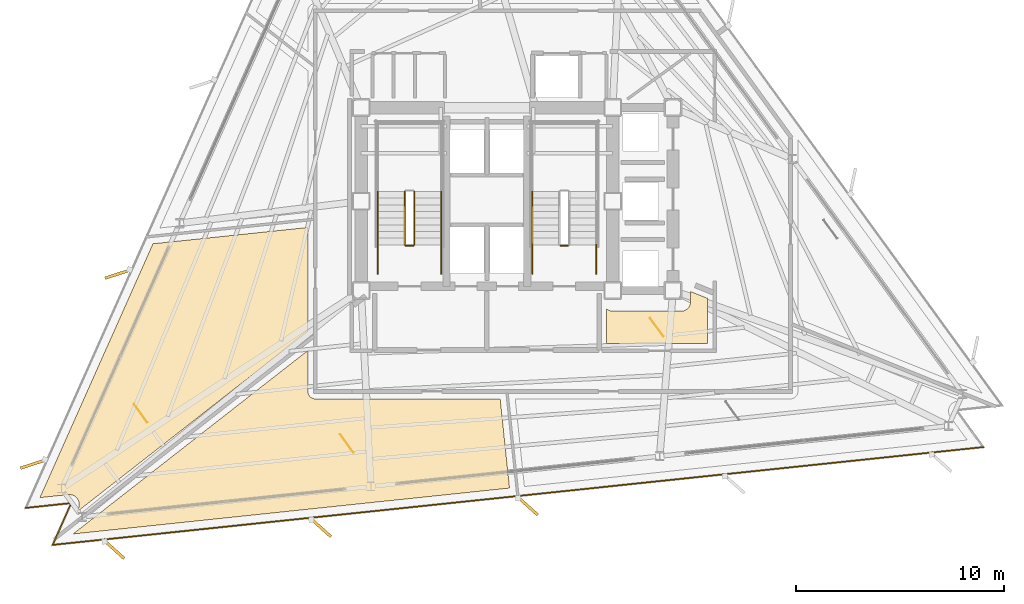
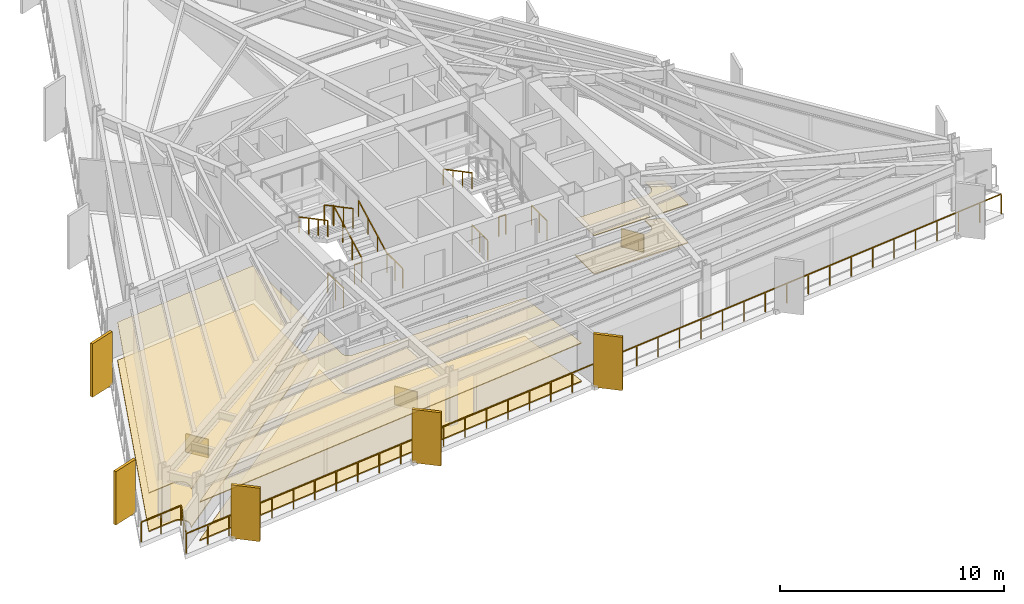
# One storey, part 10 of 12: 12 railings, 9 coverings, 5 shading devices.
"""IFC4 building model written with IfcOpenShell, lengths in metres."""

from ifc_helpers import new_model, si_unit, direction, frame, origin, origin_2d, place, context, subcontext, project, spatial, polyline, rectangle, outline, extrude, material, layer, layer_set, type_object, element, save


model = new_model("IFC4")

# Units and contexts
model_context = context("Model", 3, precision=1e-05, world=origin(), true_north=direction((0.0, 1.0)))
body_context = subcontext(model_context, "Body", "Model", "MODEL_VIEW")
ifc_project = project(units=[si_unit("LENGTHUNIT", "METRE"), si_unit("AREAUNIT", "SQUARE_METRE"), si_unit("VOLUMEUNIT", "CUBIC_METRE"), si_unit("PLANEANGLEUNIT", "RADIAN"), si_unit("MASSUNIT", "GRAM", prefix="KILO")], contexts=[model_context])

# Site, building, storey
site_placement = place(None, origin())
site = spatial("IfcSite", under=ifc_project, at=site_placement, CompositionType="ELEMENT")
building_placement = place(site_placement, origin())
building = spatial("IfcBuilding", under=site, at=building_placement, Name="Rocaltana Carrier Exchange", CompositionType="ELEMENT")
storey_placement = place(building_placement, frame((0.0, 0.0, 110.719970703125)))
storey = spatial("IfcBuildingStorey", under=building, at=storey_placement, Name="L34", CompositionType="ELEMENT", Elevation=110.719970703125)

# Coverings
ifc_material_1 = material(Name="Calcium Sulphate & Aluminium Pedestal", Category="aluminium")
ifc_layer_1 = layer(ifc_material_1, 0.06005859375)
ifc_layer_set_1 = layer_set([ifc_layer_1], Name="Calcium Sulphate & Aluminium Pedestal")
covering_type_1 = type_object("IfcCoveringType", Name="Anti-Static Raised Exchange Access Floor 60", PredefinedType="FLOORING", material=ifc_layer_set_1)
covering_1_placement = place(storey_placement, origin())
element("IfcCovering", 1, at=covering_1_placement, inside=storey, type_object=covering_type_1, Name="L34 Cloud Architecture Office Finish Floor", PredefinedType="FLOORING", context=body_context, shape_type="SweptSolid", body=[
    extrude(outline(polyline([(-19.646240234375, -14.78759765625), (-19.640869140625, -14.774658203125), (-19.633544921875, -14.756103515625), (-19.625, -14.7294921875), (-19.61962890625, -14.71044921875), (-19.613525390625, -14.68310546875), (-19.610107421875, -14.66357421875), (-19.606689453125, -14.6357421875), (-19.60546875, -14.615966796875), (-19.60498046875, -14.587890625), (-19.60546875, -14.568115234375), (-19.607666015625, -14.540283203125), (-19.6103515625, -14.5205078125), (-19.615234375, -14.492919921875), (-19.619873046875, -14.4736328125), (-19.62744140625, -14.44677734375), (-19.6337890625, -14.427978515625), (-19.644287109375, -14.402099609375), (-19.652587890625, -14.3837890625), (-19.665283203125, -14.359130859375), (-19.675537109375, -14.341796875), (-19.690673828125, -14.318603515625), (-19.702392578125, -14.30224609375), (-19.719970703125, -14.280517578125), (-19.733154296875, -14.265625), (-19.752685546875, -14.245849609375), (-19.767578125, -14.232421875), (-19.7890625, -14.214599609375), (-19.804931640625, -14.20263671875), (-19.828125, -14.18701171875), (-19.84521484375, -14.176513671875), (-19.86962890625, -14.163330078125), (-19.8876953125, -14.15478515625), (-19.91357421875, -14.14404296875), (-19.932373046875, -14.137451171875), (-19.958984375, -14.12939453125), (-19.978271484375, -14.12451171875), (-20.005615234375, -14.119140625), (-20.025390625, -14.1162109375), (-20.05322265625, -14.113525390625), (-20.072998046875, -14.11279296875), (-20.10107421875, -14.11279296875), (-20.12109375, -14.114013671875), (-20.135009765625, -14.114990234375), (-21.49609375, -14.258056640625), (-16.060791015625, -2.050048828125), (-8.610107421875, -1.266845703125), (-8.610107421875, -6.27001953125), (-19.7177734375, -14.9482421875), (-19.646240234375, -14.78759765625)])), origin(), (0.0, 0.0, 1.0), 0.06005859375),
])
covering_2_placement = place(storey_placement, origin())
element("IfcCovering", 2, at=covering_2_placement, inside=storey, type_object=covering_type_1, Name="L34 Network Operations Office Finish Floor", PredefinedType="FLOORING", context=body_context, shape_type="SweptSolid", body=[
    extrude(outline(polyline([(-19.902587890625, -16.00634765625), (-8.610107421875, -7.18359375), (-8.610107421875, -9.14990234375), (-8.609619140625, -9.163818359375), (-8.609375, -9.171630859375), (-8.606689453125, -9.198974609375), (-8.60546875, -9.206787109375), (-8.60009765625, -9.233642578125), (-8.59814453125, -9.2412109375), (-8.590087890625, -9.267578125), (-8.58740234375, -9.27490234375), (-8.576904296875, -9.30029296875), (-8.57373046875, -9.307373046875), (-8.560791015625, -9.331787109375), (-8.556640625, -9.33837890625), (-8.54150390625, -9.361083984375), (-8.53662109375, -9.367431640625), (-8.519287109375, -9.388916015625), (-8.513916015625, -9.39453125), (-8.49462890625, -9.4140625), (-8.48876953125, -9.419189453125), (-8.467529296875, -9.436767578125), (-8.461181640625, -9.44140625), (-8.4384765625, -9.456787109375), (-8.431640625, -9.460693359375), (-8.407470703125, -9.4736328125), (-8.400390625, -9.47705078125), (-8.375, -9.487548828125), (-8.36767578125, -9.490234375), (-8.34130859375, -9.498291015625), (-8.33349609375, -9.5), (-8.306640625, -9.50537109375), (-8.298828125, -9.506591796875), (-8.271484375, -9.50927734375), (-8.263671875, -9.509765625), (-8.25, -9.510009765625), (0.6376953125, -9.510009765625), (1.08837890625, -13.800048828125), (-19.902587890625, -16.00634765625)])), origin(), (0.0, 0.0, 1.0), 0.06005859375),
])
covering_3_placement = place(storey_placement, origin())
element("IfcCovering", 3, at=covering_3_placement, inside=storey, type_object=covering_type_1, Name="L34 Optical Switching Laboratory Finish Floor", PredefinedType="FLOORING", context=body_context, shape_type="SweptSolid", body=[
    extrude(outline(polyline([(5.739990234375, -6.840087890625), (5.739990234375, -5.161865234375), (5.748779296875, -5.170654296875), (5.760498046875, -5.18115234375), (5.78173828125, -5.198486328125), (5.794189453125, -5.2080078125), (5.817138671875, -5.22314453125), (5.83056640625, -5.231201171875), (5.85498046875, -5.244140625), (5.869140625, -5.2509765625), (5.894287109375, -5.261474609375), (5.9091796875, -5.2666015625), (5.935546875, -5.274658203125), (5.95068359375, -5.278564453125), (5.977783203125, -5.283935546875), (5.9931640625, -5.2861328125), (6.0205078125, -5.288818359375), (6.036376953125, -5.289794921875), (6.050048828125, -5.2900390625), (9.35009765625, -5.2900390625), (9.36376953125, -5.289794921875), (9.37939453125, -5.288818359375), (9.40673828125, -5.2861328125), (9.42236328125, -5.283935546875), (9.44921875, -5.278564453125), (9.464599609375, -5.274658203125), (9.49072265625, -5.2666015625), (9.505615234375, -5.261474609375), (9.531005859375, -5.2509765625), (9.545166015625, -5.244140625), (9.5693359375, -5.231201171875), (9.582763671875, -5.22314453125), (9.605712890625, -5.2080078125), (9.618408203125, -5.198486328125), (9.639404296875, -5.18115234375), (9.651123046875, -5.170654296875), (9.670654296875, -5.151123046875), (9.68115234375, -5.139404296875), (9.698486328125, -5.118408203125), (9.7080078125, -5.105712890625), (9.72314453125, -5.082763671875), (9.731201171875, -5.0693359375), (9.744140625, -5.045166015625), (9.7509765625, -5.031005859375), (9.761474609375, -5.005615234375), (9.7666015625, -4.99072265625), (9.774658203125, -4.964599609375), (9.778564453125, -4.94921875), (9.783935546875, -4.92236328125), (9.7861328125, -4.90673828125), (9.788818359375, -4.87939453125), (9.789794921875, -4.86376953125), (9.7900390625, -4.85009765625), (9.7900390625, -4.34375), (10.60009765625, -4.6708984375), (10.60009765625, -6.840087890625), (5.739990234375, -6.840087890625)])), origin(), (0.0, 0.0, 1.0), 0.06005859375),
])
ifc_material_2 = material(Name="Mineral Fibre & Powder-Coated Aluminium", Category="aluminium")
ifc_layer_2 = layer(ifc_material_2, 0.044921875)
ifc_layer_set_2 = layer_set([ifc_layer_2], Name="Mineral Fibre & Powder-Coated Aluminium")
covering_type_2 = type_object("IfcCoveringType", Name="Micro-Perforated Acoustic Ceiling 45", PredefinedType="CEILING", material=ifc_layer_set_2)
covering_4_placement = place(storey_placement, frame((0.0, 0.0, 2.093017578125)))
element("IfcCovering", 4, at=covering_4_placement, inside=storey, type_object=covering_type_2, Name="L34 Cloud Architecture Office Acoustic Ceiling", PredefinedType="CEILING", context=body_context, shape_type="SweptSolid", body=[
    extrude(outline(polyline([(-19.646240234375, -14.78759765625), (-19.640869140625, -14.774658203125), (-19.633544921875, -14.756103515625), (-19.625, -14.7294921875), (-19.61962890625, -14.71044921875), (-19.613525390625, -14.68310546875), (-19.610107421875, -14.66357421875), (-19.606689453125, -14.6357421875), (-19.60546875, -14.615966796875), (-19.60498046875, -14.587890625), (-19.60546875, -14.568115234375), (-19.607666015625, -14.540283203125), (-19.6103515625, -14.5205078125), (-19.615234375, -14.492919921875), (-19.619873046875, -14.4736328125), (-19.62744140625, -14.44677734375), (-19.6337890625, -14.427978515625), (-19.644287109375, -14.402099609375), (-19.652587890625, -14.3837890625), (-19.665283203125, -14.359130859375), (-19.675537109375, -14.341796875), (-19.690673828125, -14.318603515625), (-19.702392578125, -14.30224609375), (-19.719970703125, -14.280517578125), (-19.733154296875, -14.265625), (-19.752685546875, -14.245849609375), (-19.767578125, -14.232421875), (-19.7890625, -14.214599609375), (-19.804931640625, -14.20263671875), (-19.828125, -14.18701171875), (-19.84521484375, -14.176513671875), (-19.86962890625, -14.163330078125), (-19.8876953125, -14.15478515625), (-19.91357421875, -14.14404296875), (-19.932373046875, -14.137451171875), (-19.958984375, -14.12939453125), (-19.978271484375, -14.12451171875), (-20.005615234375, -14.119140625), (-20.025390625, -14.1162109375), (-20.05322265625, -14.113525390625), (-20.072998046875, -14.11279296875), (-20.10107421875, -14.11279296875), (-20.12109375, -14.114013671875), (-20.135009765625, -14.114990234375), (-21.49609375, -14.258056640625), (-16.060791015625, -2.050048828125), (-8.610107421875, -1.266845703125), (-8.610107421875, -6.27001953125), (-19.7177734375, -14.9482421875), (-19.646240234375, -14.78759765625)])), origin(), (0.0, 0.0, 1.0), 0.044921875),
])
covering_5_placement = place(storey_placement, frame((0.0, 0.0, 2.093017578125)))
element("IfcCovering", 5, at=covering_5_placement, inside=storey, type_object=covering_type_2, Name="L34 Network Operations Office Acoustic Ceiling", PredefinedType="CEILING", context=body_context, shape_type="SweptSolid", body=[
    extrude(outline(polyline([(-19.902587890625, -16.00634765625), (-8.610107421875, -7.18359375), (-8.610107421875, -9.14990234375), (-8.609619140625, -9.163818359375), (-8.609375, -9.171630859375), (-8.606689453125, -9.198974609375), (-8.60546875, -9.206787109375), (-8.60009765625, -9.233642578125), (-8.59814453125, -9.2412109375), (-8.590087890625, -9.267578125), (-8.58740234375, -9.27490234375), (-8.576904296875, -9.30029296875), (-8.57373046875, -9.307373046875), (-8.560791015625, -9.331787109375), (-8.556640625, -9.33837890625), (-8.54150390625, -9.361083984375), (-8.53662109375, -9.367431640625), (-8.519287109375, -9.388916015625), (-8.513916015625, -9.39453125), (-8.49462890625, -9.4140625), (-8.48876953125, -9.419189453125), (-8.467529296875, -9.436767578125), (-8.461181640625, -9.44140625), (-8.4384765625, -9.456787109375), (-8.431640625, -9.460693359375), (-8.407470703125, -9.4736328125), (-8.400390625, -9.47705078125), (-8.375, -9.487548828125), (-8.36767578125, -9.490234375), (-8.34130859375, -9.498291015625), (-8.33349609375, -9.5), (-8.306640625, -9.50537109375), (-8.298828125, -9.506591796875), (-8.271484375, -9.50927734375), (-8.263671875, -9.509765625), (-8.25, -9.510009765625), (0.6376953125, -9.510009765625), (1.08837890625, -13.800048828125), (-19.902587890625, -16.00634765625)])), origin(), (0.0, 0.0, 1.0), 0.044921875),
])
covering_6_placement = place(storey_placement, frame((0.0, 0.0, 2.093017578125)))
element("IfcCovering", 6, at=covering_6_placement, inside=storey, type_object=covering_type_2, Name="L34 Optical Switching Laboratory Acoustic Ceiling", PredefinedType="CEILING", context=body_context, shape_type="SweptSolid", body=[
    extrude(outline(polyline([(5.739990234375, -6.840087890625), (5.739990234375, -5.161865234375), (5.748779296875, -5.170654296875), (5.760498046875, -5.18115234375), (5.78173828125, -5.198486328125), (5.794189453125, -5.2080078125), (5.817138671875, -5.22314453125), (5.83056640625, -5.231201171875), (5.85498046875, -5.244140625), (5.869140625, -5.2509765625), (5.894287109375, -5.261474609375), (5.9091796875, -5.2666015625), (5.935546875, -5.274658203125), (5.95068359375, -5.278564453125), (5.977783203125, -5.283935546875), (5.9931640625, -5.2861328125), (6.0205078125, -5.288818359375), (6.036376953125, -5.289794921875), (6.050048828125, -5.2900390625), (9.35009765625, -5.2900390625), (9.36376953125, -5.289794921875), (9.37939453125, -5.288818359375), (9.40673828125, -5.2861328125), (9.42236328125, -5.283935546875), (9.44921875, -5.278564453125), (9.464599609375, -5.274658203125), (9.49072265625, -5.2666015625), (9.505615234375, -5.261474609375), (9.531005859375, -5.2509765625), (9.545166015625, -5.244140625), (9.5693359375, -5.231201171875), (9.582763671875, -5.22314453125), (9.605712890625, -5.2080078125), (9.618408203125, -5.198486328125), (9.639404296875, -5.18115234375), (9.651123046875, -5.170654296875), (9.670654296875, -5.151123046875), (9.68115234375, -5.139404296875), (9.698486328125, -5.118408203125), (9.7080078125, -5.105712890625), (9.72314453125, -5.082763671875), (9.731201171875, -5.0693359375), (9.744140625, -5.045166015625), (9.7509765625, -5.031005859375), (9.761474609375, -5.005615234375), (9.7666015625, -4.99072265625), (9.774658203125, -4.964599609375), (9.778564453125, -4.94921875), (9.783935546875, -4.92236328125), (9.7861328125, -4.90673828125), (9.788818359375, -4.87939453125), (9.789794921875, -4.86376953125), (9.7900390625, -4.85009765625), (9.7900390625, -4.34375), (10.60009765625, -4.6708984375), (10.60009765625, -6.840087890625), (5.739990234375, -6.840087890625)])), origin(), (0.0, 0.0, 1.0), 0.044921875),
])

# Railings
ifc_material_3 = material(Name="Brushed Architectural Stainless Tube", Category="steel")
ifc_layer_3 = layer(ifc_material_3, 0.048095703125)
ifc_layer_set_3 = layer_set([ifc_layer_3], Name="Brushed Architectural Stainless Tube")
railing_type_1 = type_object("IfcRailingType", Name="Stair Wall Handrail 920", PredefinedType="HANDRAIL", material=ifc_layer_set_3)
railing_1_placement = place(storey_placement, frame((-2.18994140625, -2.10009765625, 0.1689453125)))
element("IfcRailing", 7, at=railing_1_placement, inside=storey, type_object=railing_type_1, Name="L34 ST-1 stair handrail 1", PredefinedType="HANDRAIL", context=body_context, shape_type="SweptSolid", body=[
    extrude(rectangle(XDim=0.048095703125, YDim=0.048095703125, at=origin_2d()), frame((0.0, 0.0, 0.8759765625), z_axis=(0.0, 0.884394423565, 0.466740295633), x_axis=(-1.0, 0.0, 0.0)), (0.0, 0.0, 1.0), 2.894775390625),
    extrude(rectangle(XDim=0.0419921875, YDim=0.0419921875, at=origin_2d()), origin(), (0.0, 0.0, 1.0), 0.851806640625),
    extrude(rectangle(XDim=0.0419921875, YDim=0.0419921875, at=origin_2d()), frame((0.0, 0.853271484375, 0.450439453125)), (0.0, 0.0, 1.0), 0.851806640625),
    extrude(rectangle(XDim=0.0419921875, YDim=0.0419921875, at=origin_2d()), frame((0.0, 1.706787109375, 0.900634765625)), (0.0, 0.0, 1.0), 0.851806640625),
    extrude(rectangle(XDim=0.0419921875, YDim=0.0419921875, at=origin_2d()), frame((0.0, 2.56005859375, 1.35107421875)), (0.0, 0.0, 1.0), 0.851806640625),
])
for number, where, name in (
    (8, (-5.25, 0.4599609375, 1.68896484375), "L34 ST-1 stair handrail 2"),
    (9, (2.18994140625, 0.4599609375, 1.68896484375), "L34 ST-2 stair handrail 2"),
):
    element("IfcRailing", number, at=place(storey_placement, frame(where)), inside=storey, type_object=railing_type_1, Name=name, PredefinedType="HANDRAIL", context=body_context, shape_type="SweptSolid", body=[
        extrude(rectangle(XDim=0.048095703125, YDim=0.048095703125, at=origin_2d()), frame((0.0, 0.0, 0.8759765625), z_axis=(0.0, -0.884394423565, 0.466740295633), x_axis=(1.0, 0.0, 0.0)), (0.0, 0.0, 1.0), 2.894775390625),
        extrude(rectangle(XDim=0.0419921875, YDim=0.0419921875, at=origin_2d()), origin(), (0.0, 0.0, 1.0), 0.851806640625),
        extrude(rectangle(XDim=0.0419921875, YDim=0.0419921875, at=origin_2d()), frame((0.0, -0.853271484375, 0.450439453125)), (0.0, 0.0, 1.0), 0.851806640625),
        extrude(rectangle(XDim=0.0419921875, YDim=0.0419921875, at=origin_2d()), frame((0.0, -1.706787109375, 0.900634765625)), (0.0, 0.0, 1.0), 0.851806640625),
        extrude(rectangle(XDim=0.0419921875, YDim=0.0419921875, at=origin_2d()), frame((0.0, -2.56005859375, 1.35107421875)), (0.0, 0.0, 1.0), 0.851806640625),
    ])
ifc_material_4 = material(Name="Powder-Coated Aluminium 6063-T6", Category="aluminium")
ifc_layer_4 = layer(ifc_material_4, 0.048095703125)
ifc_layer_set_4 = layer_set([ifc_layer_4], Name="Powder-Coated Aluminium 6063-T6")
railing_type_2 = type_object("IfcRailingType", Name="Stair Well Guardrail 1100", PredefinedType="GUARDRAIL", material=ifc_layer_set_4)
railing_2_placement = place(storey_placement, frame((-3.489990234375, -2.10009765625, 0.1689453125)))
element("IfcRailing", 10, at=railing_2_placement, inside=storey, type_object=railing_type_2, Name="L34 ST-1 stair guard 1", PredefinedType="GUARDRAIL", context=body_context, shape_type="SweptSolid", body=[
    extrude(rectangle(XDim=0.048095703125, YDim=0.048095703125, at=origin_2d()), frame((0.0, 0.0, 1.076171875), z_axis=(0.0, 0.884394423565, 0.466740295633), x_axis=(-1.0, 0.0, 0.0)), (0.0, 0.0, 1.0), 2.894775390625),
    extrude(rectangle(XDim=0.0419921875, YDim=0.0419921875, at=origin_2d()), origin(), (0.0, 0.0, 1.0), 1.052001953125),
    extrude(rectangle(XDim=0.0419921875, YDim=0.0419921875, at=origin_2d()), frame((0.0, 0.853271484375, 0.450439453125)), (0.0, 0.0, 1.0), 1.052001953125),
    extrude(rectangle(XDim=0.0419921875, YDim=0.0419921875, at=origin_2d()), frame((0.0, 1.706787109375, 0.900634765625)), (0.0, 0.0, 1.0), 1.052001953125),
    extrude(rectangle(XDim=0.0419921875, YDim=0.0419921875, at=origin_2d()), frame((0.0, 2.56005859375, 1.35107421875)), (0.0, 0.0, 1.0), 1.052001953125),
])
railing_3_placement = place(storey_placement, frame((-3.949951171875, 0.4599609375, 1.68896484375)))
element("IfcRailing", 11, at=railing_3_placement, inside=storey, type_object=railing_type_2, Name="L34 ST-1 stair guard 6", PredefinedType="GUARDRAIL", context=body_context, shape_type="SweptSolid", body=[
    extrude(rectangle(XDim=0.048095703125, YDim=0.048095703125, at=origin_2d()), frame((0.0, 0.0, 1.076171875), z_axis=(0.0, -0.884394423565, 0.466740295633), x_axis=(1.0, 0.0, 0.0)), (0.0, 0.0, 1.0), 2.894775390625),
    extrude(rectangle(XDim=0.0419921875, YDim=0.0419921875, at=origin_2d()), origin(), (0.0, 0.0, 1.0), 1.052001953125),
    extrude(rectangle(XDim=0.0419921875, YDim=0.0419921875, at=origin_2d()), frame((0.0, -0.853271484375, 0.450439453125)), (0.0, 0.0, 1.0), 1.052001953125),
    extrude(rectangle(XDim=0.0419921875, YDim=0.0419921875, at=origin_2d()), frame((0.0, -1.706787109375, 0.900634765625)), (0.0, 0.0, 1.0), 1.052001953125),
    extrude(rectangle(XDim=0.0419921875, YDim=0.0419921875, at=origin_2d()), frame((0.0, -2.56005859375, 1.35107421875)), (0.0, 0.0, 1.0), 1.052001953125),
])
railing_4_placement = place(storey_placement, frame((-3.5400390625, -2.14990234375, 0.0)))
element("IfcRailing", 12, at=railing_4_placement, inside=storey, type_object=railing_type_2, Name="L34 ST-1 stair guard 7", PredefinedType="GUARDRAIL", context=body_context, shape_type="SweptSolid", body=[
    extrude(rectangle(XDim=0.048095703125, YDim=0.048095703125, at=origin_2d()), frame((0.0, 0.0, 1.076171875), z_axis=(-1.0, 0.0, 0.0), x_axis=(0.0, -1.0, 0.0)), (0.0, 0.0, 1.0), 0.35986328125),
    extrude(rectangle(XDim=0.0419921875, YDim=0.0419921875, at=origin_2d()), origin(), (0.0, 0.0, 1.0), 1.052001953125),
    extrude(rectangle(XDim=0.0419921875, YDim=0.0419921875, at=origin_2d()), frame((-0.35986328125, 0.0, 0.0)), (0.0, 0.0, 1.0), 1.052001953125),
])
for number, where, name in (
    (13, (-2.18994140625, -3.5, 0.0), "L34 ST-1 stair guard 8"),
    (14, (-5.25, -3.5, 0.0), "L34 ST-1 stair guard 9"),
):
    element("IfcRailing", number, at=place(storey_placement, frame(where)), inside=storey, type_object=railing_type_2, Name=name, PredefinedType="GUARDRAIL", context=body_context, shape_type="SweptSolid", body=[
        extrude(rectangle(XDim=0.048095703125, YDim=0.048095703125, at=origin_2d()), frame((0.0, 0.0, 1.076171875), z_axis=(0.0, 1.0, 0.0), x_axis=(-1.0, 0.0, 0.0)), (0.0, 0.0, 1.0), 1.39990234375),
        extrude(rectangle(XDim=0.0419921875, YDim=0.0419921875, at=origin_2d()), origin(), (0.0, 0.0, 1.0), 1.052001953125),
        extrude(rectangle(XDim=0.0419921875, YDim=0.0419921875, at=origin_2d()), frame((0.0, 0.699951171875, 0.0)), (0.0, 0.0, 1.0), 1.052001953125),
        extrude(rectangle(XDim=0.0419921875, YDim=0.0419921875, at=origin_2d()), frame((0.0, 1.39990234375, 0.0)), (0.0, 0.0, 1.0), 1.052001953125),
    ])
railing_5_placement = place(storey_placement, frame((3.89990234375, -2.14990234375, 0.0)))
element("IfcRailing", 15, at=railing_5_placement, inside=storey, type_object=railing_type_2, Name="L34 ST-2 stair guard 7", PredefinedType="GUARDRAIL", context=body_context, shape_type="SweptSolid", body=[
    extrude(rectangle(XDim=0.048095703125, YDim=0.048095703125, at=origin_2d()), frame((0.0, 0.0, 1.076171875), z_axis=(-1.0, 0.0, 0.0), x_axis=(0.0, -1.0, 0.0)), (0.0, 0.0, 1.0), 0.35986328125),
    extrude(rectangle(XDim=0.0419921875, YDim=0.0419921875, at=origin_2d()), origin(), (0.0, 0.0, 1.0), 1.052001953125),
    extrude(rectangle(XDim=0.0419921875, YDim=0.0419921875, at=origin_2d()), frame((-0.35986328125, 0.0, 0.0)), (0.0, 0.0, 1.0), 1.052001953125),
])
for number, where, name in (
    (16, (5.25, -3.5, 0.0), "L34 ST-2 stair guard 8"),
    (17, (2.18994140625, -3.5, 0.0), "L34 ST-2 stair guard 9"),
):
    element("IfcRailing", number, at=place(storey_placement, frame(where)), inside=storey, type_object=railing_type_2, Name=name, PredefinedType="GUARDRAIL", context=body_context, shape_type="SweptSolid", body=[
        extrude(rectangle(XDim=0.048095703125, YDim=0.048095703125, at=origin_2d()), frame((0.0, 0.0, 1.076171875), z_axis=(0.0, 1.0, 0.0), x_axis=(-1.0, 0.0, 0.0)), (0.0, 0.0, 1.0), 1.39990234375),
        extrude(rectangle(XDim=0.0419921875, YDim=0.0419921875, at=origin_2d()), origin(), (0.0, 0.0, 1.0), 1.052001953125),
        extrude(rectangle(XDim=0.0419921875, YDim=0.0419921875, at=origin_2d()), frame((0.0, 0.699951171875, 0.0)), (0.0, 0.0, 1.0), 1.052001953125),
        extrude(rectangle(XDim=0.0419921875, YDim=0.0419921875, at=origin_2d()), frame((0.0, 1.39990234375, 0.0)), (0.0, 0.0, 1.0), 1.052001953125),
    ])

# Coverings
ifc_material_5 = material(Name="Honed Piedra Muneca Sandstone", Category="masonry")
ifc_layer_5 = layer(ifc_material_5, 0.034912109375)
ifc_layer_set_5 = layer_set([ifc_layer_5], Name="Honed Piedra Muneca Sandstone")
covering_type_3 = type_object("IfcCoveringType", Name="Stone Facade Cladding 35", PredefinedType="CLADDING", material=ifc_layer_set_5)
for number, where, z_axis, x_axis, name in (
    (18, (-16.6572265625, -10.19140625, 0.0), (0.0, 0.0, 1.0), (-0.587785252292, 0.809016994375, 0.0), "L34 Stone Facade Cladding Panel 1"),
    (19, (-6.735107421875, -11.655029296875, 0.0), (0.0, 0.0, 1.0), (-0.587785252292, 0.809016994375, 0.0), "L34 Stone Facade Cladding Panel 2"),
    (20, (8.169921875, -6.06494140625, 0.0), (0.0, 0.0, 1.0), (-0.587785252292, 0.809016994375, 0.0), "L34 Stone Facade Cladding Panel 4"),
):
    element("IfcCovering", number, at=place(storey_placement, frame(where, z_axis=z_axis, x_axis=x_axis)), inside=storey, type_object=covering_type_3, Name=name, PredefinedType="CLADDING", context=body_context, shape_type="SweptSolid", body=[
        extrude(rectangle(XDim=1.10009765625, YDim=0.034912109375, at=origin_2d()), origin(), (0.0, 0.0, 1.0), 1.050048828125),
    ])

# Shading devices
ifc_material_6 = material(Name="Honed Bogota Sandstone & Concrete C45/55", Category="masonry")
ifc_layer_6 = layer(ifc_material_6, 0.139892578125)
ifc_layer_set_6 = layer_set([ifc_layer_6], Name="Honed Bogota Sandstone & Concrete C45/55")
shading_device_type = type_object("IfcShadingDeviceType", Name="Vertical Sandstone Shading Fin 1320x140", PredefinedType="USERDEFINED", material=ifc_layer_set_6)
for number, where, z_axis, x_axis, name in (
    (21, (-17.7373046875, -3.50341796875, -0.1201171875), (0.0, 0.0, 1.0), (-0.951056516295, -0.309016994375, 0.0), "L34 Sandstone Vertical Fin F2-04"),
    (22, (-21.8046875, -12.638671875, -0.1201171875), (0.0, 0.0, 1.0), (-0.951056516295, -0.309016994375, 0.0), "L34 Sandstone Vertical Fin F2-05"),
    (23, (-17.93310546875, -16.745361328125, -0.1201171875), (0.0, 0.0, 1.0), (0.743144825477, -0.669130606359, 0.0), "L34 Sandstone Vertical Fin F3-01"),
    (24, (-7.98779296875, -15.699951171875, -0.1201171875), (0.0, 0.0, 1.0), (0.743144825477, -0.669130606359, 0.0), "L34 Sandstone Vertical Fin F3-02"),
    (25, (1.95751953125, -14.65478515625, -0.1201171875), (0.0, 0.0, 1.0), (0.743144825477, -0.669130606359, 0.0), "L34 Sandstone Vertical Fin F3-03"),
):
    element("IfcShadingDevice", number, at=place(storey_placement, frame(where, z_axis=z_axis, x_axis=x_axis)), inside=storey, type_object=shading_device_type, Name=name, ObjectType="FIN", PredefinedType="USERDEFINED", context=body_context, shape_type="SweptSolid", body=[
        extrude(rectangle(XDim=1.320068359375, YDim=0.139892578125, at=origin_2d()), origin(), (0.0, 0.0, 1.0), 2.907958984375),
    ])

# Railing
ifc_material_7 = material(Name="Powder-Coated Aluminium 6063-T6", Category="aluminium")
ifc_layer_7 = layer(ifc_material_7, 0.06005859375)
ifc_layer_set_7 = layer_set([ifc_layer_7], Name="Powder-Coated Aluminium 6063-T6")
railing_type_3 = type_object("IfcRailingType", Name="Wind-Floor & Terrace Perimeter Guardrail 1100", PredefinedType="GUARDRAIL", material=ifc_layer_set_7)
railing_6_placement = place(storey_placement, frame((23.86328125, -11.82861328125, 0.0)))
element("IfcRailing", 26, at=railing_6_placement, inside=storey, type_object=railing_type_3, Name="L34 Perimeter Balcony Guardrail 1", PredefinedType="GUARDRAIL", context=body_context, shape_type="SweptSolid", body=[
    extrude(rectangle(XDim=0.048095703125, YDim=0.048095703125, at=origin_2d()), frame((0.0, 0.0, 1.076171875), z_axis=(-0.994521497127, -0.104532252211, 0.0), x_axis=(0.104532252211, -0.994521497127, 0.0)), (0.0, 0.0, 1.0), 44.9921875),
    extrude(rectangle(XDim=0.048095703125, YDim=0.048095703125, at=origin_2d()), frame((-44.74560546875, -4.703125, 1.076171875), z_axis=(0.406725294076, 0.913550510459, 0.0), x_axis=(-0.913550510459, 0.406725294076, 0.0)), (0.0, 0.0, 1.0), 2.199951171875),
    extrude(rectangle(XDim=0.048095703125, YDim=0.048095703125, at=origin_2d()), frame((-43.850830078125, -2.693359375, 1.076171875), z_axis=(-0.994521251134, -0.104534592565, 0.0), x_axis=(0.104534592565, -0.994521251134, 0.0)), (0.0, 0.0, 1.0), 2.199951171875),
    extrude(rectangle(XDim=0.0419921875, YDim=0.0419921875, at=origin_2d()), origin(), (0.0, 0.0, 1.0), 1.052001953125),
    extrude(rectangle(XDim=0.0419921875, YDim=0.0419921875, at=origin_2d()), frame((-1.177490234375, -0.123779296875, 0.0)), (0.0, 0.0, 1.0), 1.052001953125),
    extrude(rectangle(XDim=0.0419921875, YDim=0.0419921875, at=origin_2d()), frame((-2.35498046875, -0.24755859375, 0.0)), (0.0, 0.0, 1.0), 1.052001953125),
    extrude(rectangle(XDim=0.0419921875, YDim=0.0419921875, at=origin_2d()), frame((-3.532470703125, -0.371337890625, 0.0)), (0.0, 0.0, 1.0), 1.052001953125),
    extrude(rectangle(XDim=0.0419921875, YDim=0.0419921875, at=origin_2d()), frame((-4.7099609375, -0.4951171875, 0.0)), (0.0, 0.0, 1.0), 1.052001953125),
    extrude(rectangle(XDim=0.0419921875, YDim=0.0419921875, at=origin_2d()), frame((-5.8876953125, -0.618896484375, 0.0)), (0.0, 0.0, 1.0), 1.052001953125),
    extrude(rectangle(XDim=0.0419921875, YDim=0.0419921875, at=origin_2d()), frame((-7.065185546875, -0.74267578125, 0.0)), (0.0, 0.0, 1.0), 1.052001953125),
    extrude(rectangle(XDim=0.0419921875, YDim=0.0419921875, at=origin_2d()), frame((-8.24267578125, -0.866455078125, 0.0)), (0.0, 0.0, 1.0), 1.052001953125),
    extrude(rectangle(XDim=0.0419921875, YDim=0.0419921875, at=origin_2d()), frame((-9.420166015625, -0.990234375, 0.0)), (0.0, 0.0, 1.0), 1.052001953125),
    extrude(rectangle(XDim=0.0419921875, YDim=0.0419921875, at=origin_2d()), frame((-10.59765625, -1.114013671875, 0.0)), (0.0, 0.0, 1.0), 1.052001953125),
    extrude(rectangle(XDim=0.0419921875, YDim=0.0419921875, at=origin_2d()), frame((-11.775146484375, -1.237548828125, 0.0)), (0.0, 0.0, 1.0), 1.052001953125),
    extrude(rectangle(XDim=0.0419921875, YDim=0.0419921875, at=origin_2d()), frame((-12.95263671875, -1.361328125, 0.0)), (0.0, 0.0, 1.0), 1.052001953125),
    extrude(rectangle(XDim=0.0419921875, YDim=0.0419921875, at=origin_2d()), frame((-14.130126953125, -1.485107421875, 0.0)), (0.0, 0.0, 1.0), 1.052001953125),
    extrude(rectangle(XDim=0.0419921875, YDim=0.0419921875, at=origin_2d()), frame((-15.3076171875, -1.60888671875, 0.0)), (0.0, 0.0, 1.0), 1.052001953125),
    extrude(rectangle(XDim=0.0419921875, YDim=0.0419921875, at=origin_2d()), frame((-16.485107421875, -1.732666015625, 0.0)), (0.0, 0.0, 1.0), 1.052001953125),
    extrude(rectangle(XDim=0.0419921875, YDim=0.0419921875, at=origin_2d()), frame((-17.662841796875, -1.8564453125, 0.0)), (0.0, 0.0, 1.0), 1.052001953125),
    extrude(rectangle(XDim=0.0419921875, YDim=0.0419921875, at=origin_2d()), frame((-18.84033203125, -1.980224609375, 0.0)), (0.0, 0.0, 1.0), 1.052001953125),
    extrude(rectangle(XDim=0.0419921875, YDim=0.0419921875, at=origin_2d()), frame((-20.017822265625, -2.10400390625, 0.0)), (0.0, 0.0, 1.0), 1.052001953125),
    extrude(rectangle(XDim=0.0419921875, YDim=0.0419921875, at=origin_2d()), frame((-21.1953125, -2.227783203125, 0.0)), (0.0, 0.0, 1.0), 1.052001953125),
    extrude(rectangle(XDim=0.0419921875, YDim=0.0419921875, at=origin_2d()), frame((-22.372802734375, -2.3515625, 0.0)), (0.0, 0.0, 1.0), 1.052001953125),
    extrude(rectangle(XDim=0.0419921875, YDim=0.0419921875, at=origin_2d()), frame((-23.55029296875, -2.475341796875, 0.0)), (0.0, 0.0, 1.0), 1.052001953125),
    extrude(rectangle(XDim=0.0419921875, YDim=0.0419921875, at=origin_2d()), frame((-24.727783203125, -2.59912109375, 0.0)), (0.0, 0.0, 1.0), 1.052001953125),
    extrude(rectangle(XDim=0.0419921875, YDim=0.0419921875, at=origin_2d()), frame((-25.9052734375, -2.722900390625, 0.0)), (0.0, 0.0, 1.0), 1.052001953125),
    extrude(rectangle(XDim=0.0419921875, YDim=0.0419921875, at=origin_2d()), frame((-27.082763671875, -2.8466796875, 0.0)), (0.0, 0.0, 1.0), 1.052001953125),
    extrude(rectangle(XDim=0.0419921875, YDim=0.0419921875, at=origin_2d()), frame((-28.260498046875, -2.970458984375, 0.0)), (0.0, 0.0, 1.0), 1.052001953125),
    extrude(rectangle(XDim=0.0419921875, YDim=0.0419921875, at=origin_2d()), frame((-29.43798828125, -3.09423828125, 0.0)), (0.0, 0.0, 1.0), 1.052001953125),
    extrude(rectangle(XDim=0.0419921875, YDim=0.0419921875, at=origin_2d()), frame((-30.615478515625, -3.218017578125, 0.0)), (0.0, 0.0, 1.0), 1.052001953125),
    extrude(rectangle(XDim=0.0419921875, YDim=0.0419921875, at=origin_2d()), frame((-31.79296875, -3.341796875, 0.0)), (0.0, 0.0, 1.0), 1.052001953125),
    extrude(rectangle(XDim=0.0419921875, YDim=0.0419921875, at=origin_2d()), frame((-32.970458984375, -3.465576171875, 0.0)), (0.0, 0.0, 1.0), 1.052001953125),
    extrude(rectangle(XDim=0.0419921875, YDim=0.0419921875, at=origin_2d()), frame((-34.14794921875, -3.589111328125, 0.0)), (0.0, 0.0, 1.0), 1.052001953125),
    extrude(rectangle(XDim=0.0419921875, YDim=0.0419921875, at=origin_2d()), frame((-35.325439453125, -3.712890625, 0.0)), (0.0, 0.0, 1.0), 1.052001953125),
    extrude(rectangle(XDim=0.0419921875, YDim=0.0419921875, at=origin_2d()), frame((-36.5029296875, -3.836669921875, 0.0)), (0.0, 0.0, 1.0), 1.052001953125),
    extrude(rectangle(XDim=0.0419921875, YDim=0.0419921875, at=origin_2d()), frame((-37.680419921875, -3.96044921875, 0.0)), (0.0, 0.0, 1.0), 1.052001953125),
    extrude(rectangle(XDim=0.0419921875, YDim=0.0419921875, at=origin_2d()), frame((-38.85791015625, -4.084228515625, 0.0)), (0.0, 0.0, 1.0), 1.052001953125),
    extrude(rectangle(XDim=0.0419921875, YDim=0.0419921875, at=origin_2d()), frame((-40.03564453125, -4.2080078125, 0.0)), (0.0, 0.0, 1.0), 1.052001953125),
    extrude(rectangle(XDim=0.0419921875, YDim=0.0419921875, at=origin_2d()), frame((-41.213134765625, -4.331787109375, 0.0)), (0.0, 0.0, 1.0), 1.052001953125),
    extrude(rectangle(XDim=0.0419921875, YDim=0.0419921875, at=origin_2d()), frame((-42.390625, -4.45556640625, 0.0)), (0.0, 0.0, 1.0), 1.052001953125),
    extrude(rectangle(XDim=0.0419921875, YDim=0.0419921875, at=origin_2d()), frame((-43.568115234375, -4.579345703125, 0.0)), (0.0, 0.0, 1.0), 1.052001953125),
    extrude(rectangle(XDim=0.0419921875, YDim=0.0419921875, at=origin_2d()), frame((-44.74560546875, -4.703125, 0.0)), (0.0, 0.0, 1.0), 1.052001953125),
    extrude(rectangle(XDim=0.0419921875, YDim=0.0419921875, at=origin_2d()), frame((-44.29833984375, -3.6982421875, 0.0)), (0.0, 0.0, 1.0), 1.052001953125),
    extrude(rectangle(XDim=0.0419921875, YDim=0.0419921875, at=origin_2d()), frame((-43.850830078125, -2.693359375, 0.0)), (0.0, 0.0, 1.0), 1.052001953125),
    extrude(rectangle(XDim=0.0419921875, YDim=0.0419921875, at=origin_2d()), frame((-44.94482421875, -2.808349609375, 0.0)), (0.0, 0.0, 1.0), 1.052001953125),
    extrude(rectangle(XDim=0.0419921875, YDim=0.0419921875, at=origin_2d()), frame((-46.038818359375, -2.92333984375, 0.0)), (0.0, 0.0, 1.0), 1.052001953125),
])

save(model, "model.ifc")
